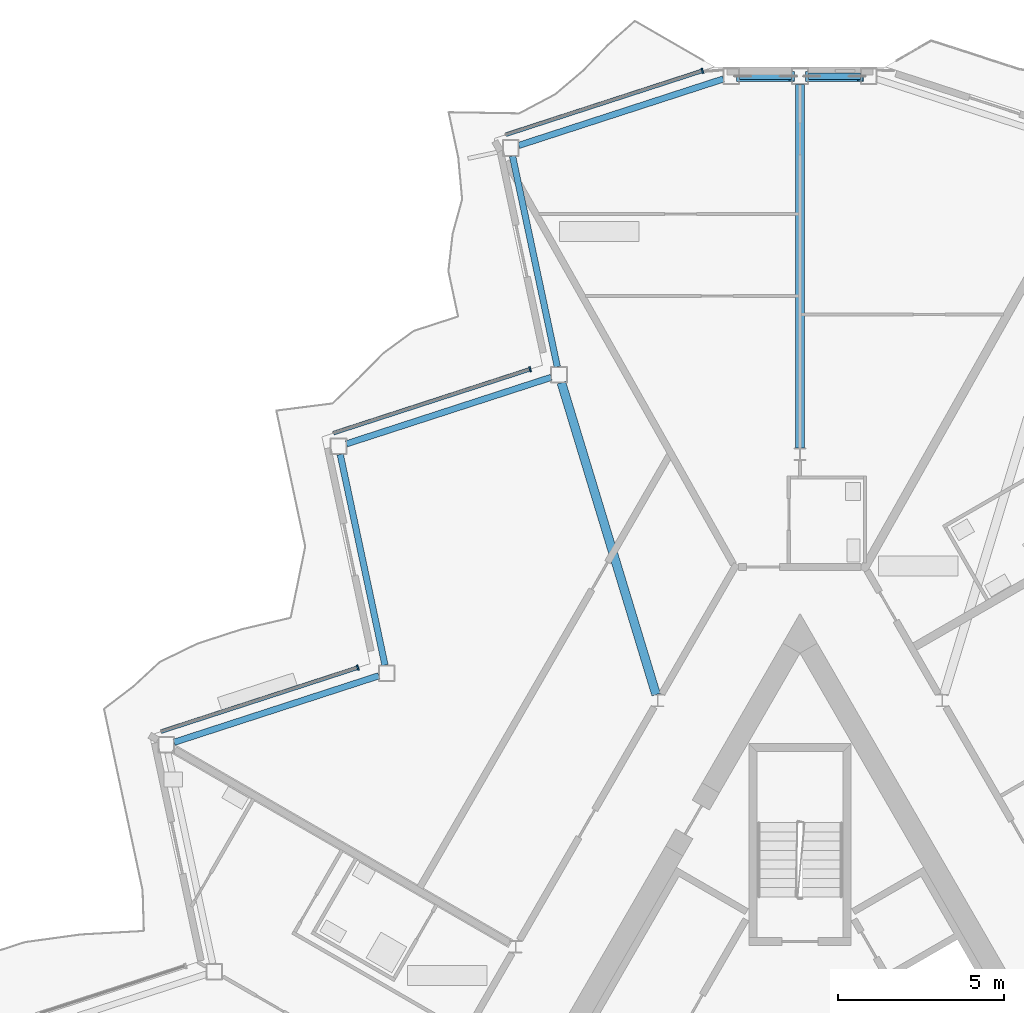
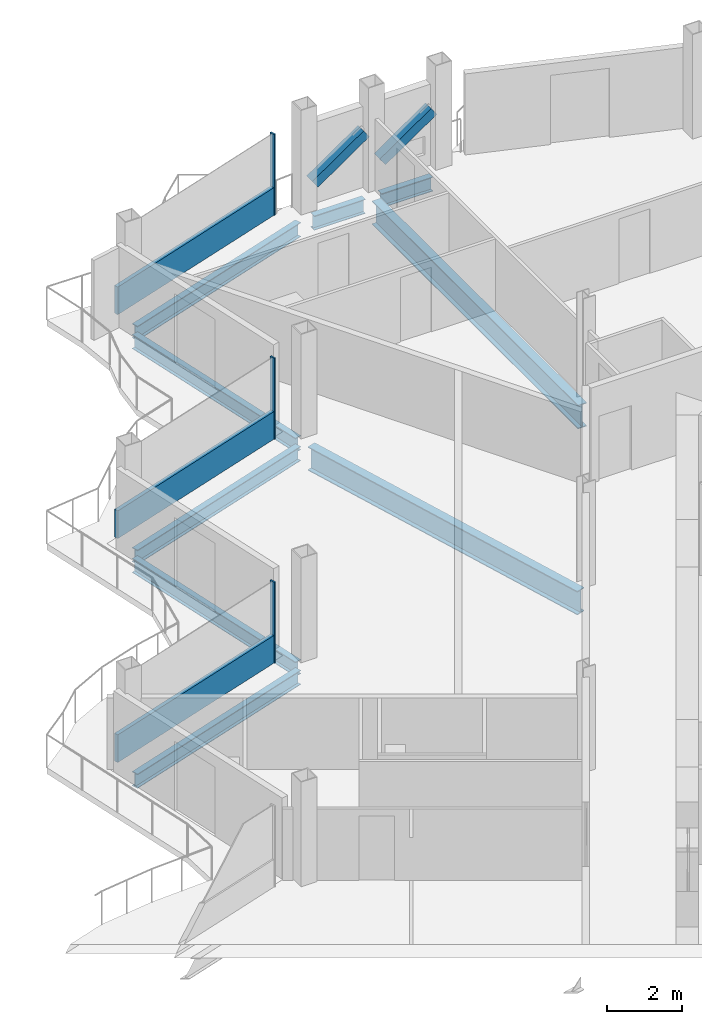
# One storey, part 9 of 26: 9 beams, 8 members, 3 elements without a shape of their own.
"""IFC4 building model written with IfcOpenShell, lengths in metres."""

from ifc_helpers import new_model, si_unit, direction, frame, origin, origin_2d, place, context, subcontext, project, spatial, rectangle, hollow_rectangle, i_section, extrude, material, layer, layer_set, material_profile, profile_set, type_object, element, aggregate, save


model = new_model("IFC4")

# Units and contexts
model_context = context("Model", 3, precision=1e-05, world=origin(), true_north=direction((0.0, 1.0)))
body_context = subcontext(model_context, "Body", "Model", "MODEL_VIEW")
ifc_project = project(units=[si_unit("LENGTHUNIT", "METRE"), si_unit("AREAUNIT", "SQUARE_METRE"), si_unit("VOLUMEUNIT", "CUBIC_METRE"), si_unit("PLANEANGLEUNIT", "RADIAN"), si_unit("MASSUNIT", "GRAM", prefix="KILO")], contexts=[model_context])

# Site, building, storey
site_placement = place(None, origin())
site = spatial("IfcSite", under=ifc_project, at=site_placement, CompositionType="ELEMENT")
building_placement = place(site_placement, origin())
building = spatial("IfcBuilding", under=site, at=building_placement, Name="Cormorant Prow Tower", CompositionType="ELEMENT")
storey_placement = place(building_placement, frame((0.0, 0.0, 378.0)))
storey = spatial("IfcBuildingStorey", under=building, at=storey_placement, Name="L85", CompositionType="ELEMENT", Elevation=378.0)

# Members
ifc_material_1 = material(Name="Structural steel ASTM A500 Gr C", Category="steel")
ifc_material_profile_1 = material_profile(ifc_material_1, hollow_rectangle(XDim=0.3046875, YDim=0.3046875, WallThickness=0.01171875, at=origin_2d()), Name="HSS12x12x1/2")
ifc_profile_set_1 = profile_set([ifc_material_profile_1], Name="Structural steel ASTM A500 Gr C")
member_type_1 = type_object("IfcMemberType", Name="Chamfer brace HSS12x12x1/2", PredefinedType="BRACE", material=ifc_profile_set_1)
for number, where, z_axis, x_axis, name in (
    (1, (0.246826171875, 31.219482421875, 0.7705078125), (0.82250770082, 0.0, 0.568753973254), (0.0, 1.0, 0.0), "Chamfer brace BR3 at N00 L85"),
    (2, (-1.8271484375, 31.219482421875, 0.7705078125), (0.82250770082, 0.0, 0.568753973254), (0.0, 1.0, 0.0), "Chamfer brace BR3 at N01 L85"),
):
    element("IfcMember", number, at=place(storey_placement, frame(where, z_axis=z_axis, x_axis=x_axis)), inside=storey, type_object=member_type_1, Name=name, PredefinedType="BRACE", context=body_context, shape_type="SweptSolid", body=[
        extrude(hollow_rectangle(XDim=0.3046875, YDim=0.3046875, WallThickness=0.01171875, at=origin_2d()), origin(), (0.0, 0.0, 1.0), 1.92138671875),
    ])

# Beams
ifc_material_2 = material(Name="Structural steel ASTM A992 Gr 50", Category="steel")
ifc_material_profile_2 = material_profile(ifc_material_2, i_section(OverallWidth=0.267822265625, OverallDepth=0.77001953125, WebThickness=0.015625, FlangeThickness=0.025390625, at=origin_2d()), Name="W30x132")
ifc_profile_set_2 = profile_set([ifc_material_profile_2], Name="Structural steel ASTM A992 Gr 50")
beam_type_1 = type_object("IfcBeamType", Name="Radial floor beam W30x132", PredefinedType="BEAM", material=ifc_profile_set_2)
beam_1_placement = place(storey_placement, frame((0.0, 19.998046875, -0.68505859375), z_axis=(0.0, 1.0, 0.0), x_axis=(-1.0, 0.0, 0.0)))
element("IfcBeam", 3, at=beam_1_placement, inside=storey, type_object=beam_type_1, Name="Radial floor beam FB3 1 L85", PredefinedType="BEAM", context=body_context, shape_type="SweptSolid", body=[
    extrude(i_section(OverallWidth=0.267822265625, OverallDepth=0.77001953125, WebThickness=0.015625, FlangeThickness=0.025390625, at=origin_2d()), origin(), (0.0, 0.0, 1.0), 10.971435546875),
])
beam_2_placement = place(storey_placement, frame((-4.343505859375, 12.560791015625, -0.68505859375), z_axis=(-0.290499864147, 0.956875033079, 0.0), x_axis=(-0.956875033079, -0.290499864147, 0.0)))
element("IfcBeam", 4, at=beam_2_placement, inside=storey, type_object=beam_type_1, Name="Radial floor beam FB3 2 L85", PredefinedType="BEAM", context=body_context, shape_type="SweptSolid", body=[
    extrude(i_section(OverallWidth=0.267822265625, OverallDepth=0.77001953125, WebThickness=0.015625, FlangeThickness=0.025390625, at=origin_2d()), origin(), (0.0, 0.0, 1.0), 9.837158203125),
])

# Curtain wall, member
ifc_material_3 = material(Name="Aluminium 6063-T6", Category="aluminium")
ifc_layer = layer(ifc_material_3, 0.159912109375)
ifc_layer_set = layer_set([ifc_layer], Name="Aluminium 6063-T6")
curtain_wall_type = type_object("IfcCurtainWallType", Name="Residential unitised curtain wall 160", PredefinedType="NOTDEFINED", material=ifc_layer_set)
curtain_wall_1_placement = place(storey_placement, origin())
curtain_wall_1 = element("IfcCurtainWall", 5, at=curtain_wall_1_placement, inside=storey, type_object=curtain_wall_type, Name="Residential curtain wall WNW00", PredefinedType="NOTDEFINED")
ifc_material_4 = material(Name="Aluminium 6063-T6", Category="aluminium")
ifc_material_profile_3 = material_profile(ifc_material_4, rectangle(XDim=0.159912109375, YDim=0.050048828125, at=origin_2d()), Name="Residential mullion 50x160")
ifc_profile_set_3 = profile_set([ifc_material_profile_3], Name="Aluminium 6063-T6")
member_type_2 = type_object("IfcMemberType", Name="Residential mullion 50x160", PredefinedType="MULLION", material=ifc_profile_set_3)
member_1_placement = place(storey_placement, frame((-2.946044921875, 31.3876953125, 0.0), z_axis=(0.0, 0.0, 1.0), x_axis=(0.309017024369, -0.951056506549, 0.0)))
member_1 = element("IfcMember", 6, at=member_1_placement, type_object=member_type_2, Name="Residential mullion WNW00", PredefinedType="MULLION", context=body_context, shape_type="SweptSolid", body=[
    extrude(rectangle(XDim=0.159912109375, YDim=0.050048828125, at=origin_2d()), origin(), (0.0, 0.0, 1.0), 2.6337890625),
])

curtain_wall_2_placement = place(storey_placement, origin())
curtain_wall_2 = element("IfcCurtainWall", 7, at=curtain_wall_2_placement, inside=storey, type_object=curtain_wall_type, Name="Residential curtain wall WNW02", PredefinedType="NOTDEFINED")
member_2_placement = place(storey_placement, frame((-8.14599609375, 22.380859375, 0.0), z_axis=(0.0, 0.0, 1.0), x_axis=(0.309017066365, -0.951056492904, 0.0)))
member_2 = element("IfcMember", 8, at=member_2_placement, type_object=member_type_2, Name="Residential mullion WNW02", PredefinedType="MULLION", context=body_context, shape_type="SweptSolid", body=[
    extrude(rectangle(XDim=0.159912109375, YDim=0.050048828125, at=origin_2d()), origin(), (0.0, 0.0, 1.0), 2.6337890625),
])

curtain_wall_3_placement = place(storey_placement, origin())
curtain_wall_3 = element("IfcCurtainWall", 9, at=curtain_wall_3_placement, inside=storey, type_object=curtain_wall_type, Name="Residential curtain wall WNW04", PredefinedType="NOTDEFINED")
member_3_placement = place(storey_placement, frame((-13.345947265625, 13.374267578125, 0.0), z_axis=(0.0, 0.0, 1.0), x_axis=(0.309016937108, -0.951056534902, 0.0)))
member_3 = element("IfcMember", 10, at=member_3_placement, type_object=member_type_2, Name="Residential mullion WNW04", PredefinedType="MULLION", context=body_context, shape_type="SweptSolid", body=[
    extrude(rectangle(XDim=0.159912109375, YDim=0.050048828125, at=origin_2d()), origin(), (0.0, 0.0, 1.0), 2.6337890625),
])

# Member
ifc_material_5 = material(Name="Terracotta", Category="masonry")
ifc_material_profile_4 = material_profile(ifc_material_5, rectangle(XDim=0.1201171875, YDim=0.89990234375, at=origin_2d()), Name="Residential terracotta spandrel rail 120x900")
ifc_profile_set_4 = profile_set([ifc_material_profile_4], Name="Terracotta")
member_type_3 = type_object("IfcMemberType", Name="Residential terracotta spandrel rail 120x900", PredefinedType="USERDEFINED", material=ifc_profile_set_4)
member_4_placement = place(storey_placement, frame((-2.9697265625, 31.3798828125, 0.449951171875), z_axis=(-0.951056004715, -0.309018568854, 0.0), x_axis=(0.309018568854, -0.951056004715, 0.0)))
member_4 = element("IfcMember", 11, at=member_4_placement, type_object=member_type_3, Name="Residential spandrel rail WNW00", ObjectType="TRANSOM", PredefinedType="USERDEFINED", context=body_context, shape_type="SweptSolid", body=[
    extrude(rectangle(XDim=0.1201171875, YDim=0.89990234375, at=origin_2d()), origin(), (0.0, 0.0, 1.0), 6.21533203125),
])

aggregate(curtain_wall_1, [member_1, member_4])

member_5_placement = place(storey_placement, frame((-8.169921875, 22.373291015625, 0.449951171875), z_axis=(-0.951052253526, -0.309030113522, 0.0), x_axis=(0.309030113522, -0.951052253526, 0.0)))
member_5 = element("IfcMember", 12, at=member_5_placement, type_object=member_type_3, Name="Residential spandrel rail WNW02", ObjectType="TRANSOM", PredefinedType="USERDEFINED", context=body_context, shape_type="SweptSolid", body=[
    extrude(rectangle(XDim=0.1201171875, YDim=0.89990234375, at=origin_2d()), origin(), (0.0, 0.0, 1.0), 6.215087890625),
])

aggregate(curtain_wall_2, [member_2, member_5])

member_6_placement = place(storey_placement, frame((-13.369873046875, 13.366455078125, 0.449951171875), z_axis=(-0.951056004715, -0.309018568854, 0.0), x_axis=(0.309018568854, -0.951056004715, 0.0)))
member_6 = element("IfcMember", 13, at=member_6_placement, type_object=member_type_3, Name="Residential spandrel rail WNW04", ObjectType="TRANSOM", PredefinedType="USERDEFINED", context=body_context, shape_type="SweptSolid", body=[
    extrude(rectangle(XDim=0.1201171875, YDim=0.89990234375, at=origin_2d()), origin(), (0.0, 0.0, 1.0), 6.21533203125),
])

aggregate(curtain_wall_3, [member_3, member_6])

# Beams
ifc_material_6 = material(Name="Structural steel ASTM A992 Gr 50", Category="steel")
ifc_material_profile_5 = material_profile(ifc_material_6, i_section(OverallWidth=0.19287109375, OverallDepth=0.466064453125, WebThickness=0.011474609375, FlangeThickness=0.01904296875, at=origin_2d()), Name="W18x65")
ifc_profile_set_5 = profile_set([ifc_material_profile_5], Name="Structural steel ASTM A992 Gr 50")
beam_type_2 = type_object("IfcBeamType", Name="Spandrel beam W18x65", PredefinedType="SPANDREL", material=ifc_profile_set_5)
for number, where, z_axis, x_axis, name in (
    (14, (1.82373046875, 31.219482421875, -0.532958984375), (-1.0, 0.0, 0.0), (0.0, -1.0, 0.0), "Spandrel beam SB4 N00-N01 L85"),
    (15, (-0.25, 31.219482421875, -0.532958984375), (-1.0, 0.0, 0.0), (0.0, -1.0, 0.0), "Spandrel beam SB4 N01-WNW00 L85"),
):
    element("IfcBeam", number, at=place(storey_placement, frame(where, z_axis=z_axis, x_axis=x_axis)), inside=storey, type_object=beam_type_2, Name=name, PredefinedType="SPANDREL", context=body_context, shape_type="SweptSolid", body=[
        extrude(i_section(OverallWidth=0.19287109375, OverallDepth=0.466064453125, WebThickness=0.011474609375, FlangeThickness=0.01904296875, at=origin_2d()), origin(), (0.0, 0.0, 1.0), 1.57373046875),
    ])
for number, where, z_axis, x_axis, name in (
    (16, (-2.3115234375, 31.142333984375, -0.532958984375), (-0.951056984862, -0.30901555227, 0.0), (0.30901555227, -0.951056984862, 0.0), "Spandrel beam SB4 WNW00-WNW01 L85"),
    (17, (-8.6767578125, 28.812744140625, -0.532958984375), (0.20793784774, -0.978142040543, 0.0), (0.978142040543, 0.20793784774, 0.0), "Spandrel beam SB4 WNW01-WNW02 L85"),
):
    element("IfcBeam", number, at=place(storey_placement, frame(where, z_axis=z_axis, x_axis=x_axis)), inside=storey, type_object=beam_type_2, Name=name, PredefinedType="SPANDREL", context=body_context, shape_type="SweptSolid", body=[
        extrude(i_section(OverallWidth=0.19287109375, OverallDepth=0.466064453125, WebThickness=0.011474609375, FlangeThickness=0.01904296875, at=origin_2d()), origin(), (0.0, 0.0, 1.0), 6.49755859375),
    ])
beam_3_placement = place(storey_placement, frame((-7.511474609375, 22.135498046875, -0.532958984375), z_axis=(-0.951068027308, -0.308981564875, 0.0), x_axis=(0.308981564875, -0.951068027308, 0.0)))
element("IfcBeam", 18, at=beam_3_placement, inside=storey, type_object=beam_type_2, Name="Spandrel beam SB4 WNW02-WNW03 L85", PredefinedType="SPANDREL", context=body_context, shape_type="SweptSolid", body=[
    extrude(i_section(OverallWidth=0.19287109375, OverallDepth=0.466064453125, WebThickness=0.011474609375, FlangeThickness=0.01904296875, at=origin_2d()), origin(), (0.0, 0.0, 1.0), 6.497314453125),
])
beam_4_placement = place(storey_placement, frame((-13.876708984375, 19.80615234375, -0.532958984375), z_axis=(0.207901897373, -0.978149682344, 0.0), x_axis=(0.978149682344, 0.207901897373, 0.0)))
element("IfcBeam", 19, at=beam_4_placement, inside=storey, type_object=beam_type_2, Name="Spandrel beam SB4 WNW03-WNW04 L85", PredefinedType="SPANDREL", context=body_context, shape_type="SweptSolid", body=[
    extrude(i_section(OverallWidth=0.19287109375, OverallDepth=0.466064453125, WebThickness=0.011474609375, FlangeThickness=0.01904296875, at=origin_2d()), origin(), (0.0, 0.0, 1.0), 6.49755859375),
])
beam_5_placement = place(storey_placement, frame((-12.711669921875, 13.12890625, -0.532958984375), z_axis=(-0.951053396625, -0.309026595569, 0.0), x_axis=(0.309026595569, -0.951053396625, 0.0)))
element("IfcBeam", 20, at=beam_5_placement, inside=storey, type_object=beam_type_2, Name="Spandrel beam SB4 WNW04-WNW05 L85", PredefinedType="SPANDREL", context=body_context, shape_type="SweptSolid", body=[
    extrude(i_section(OverallWidth=0.19287109375, OverallDepth=0.466064453125, WebThickness=0.011474609375, FlangeThickness=0.01904296875, at=origin_2d()), origin(), (0.0, 0.0, 1.0), 6.497314453125),
])

save(model, "model.ifc")
